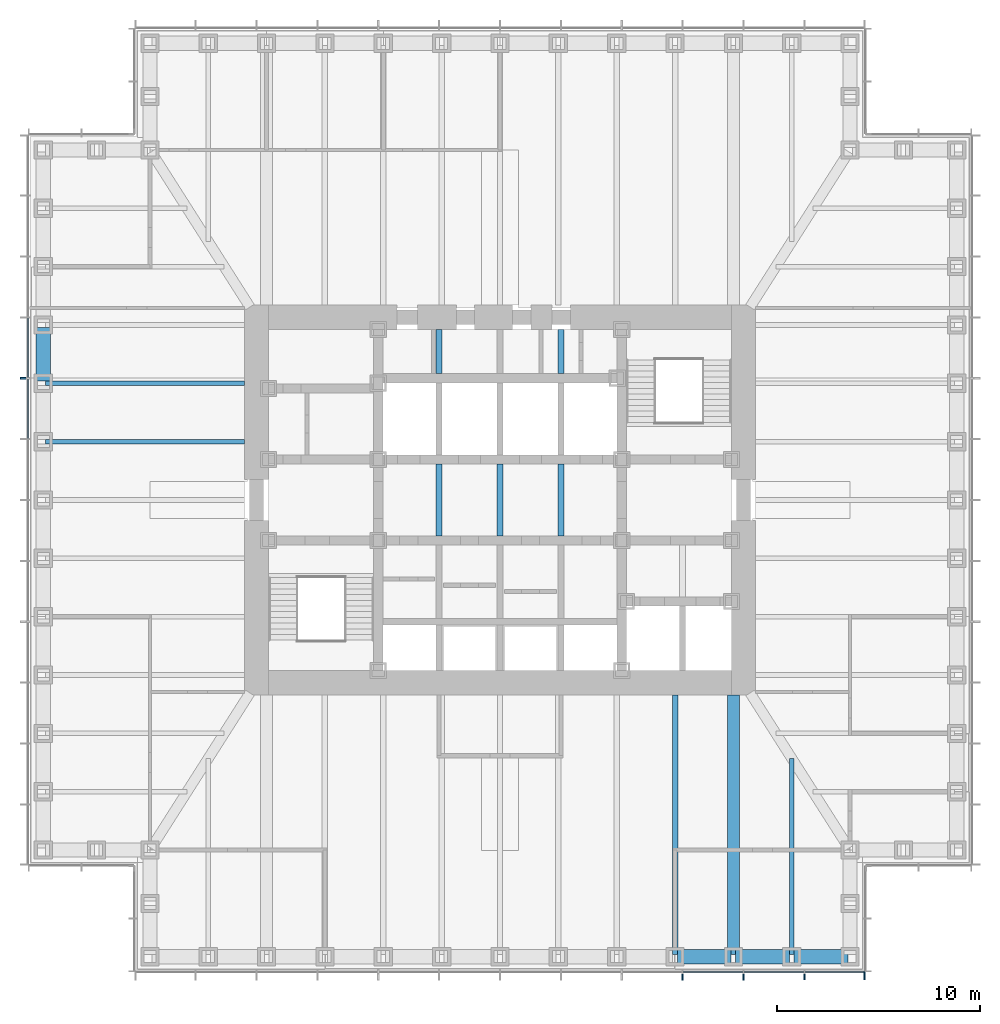
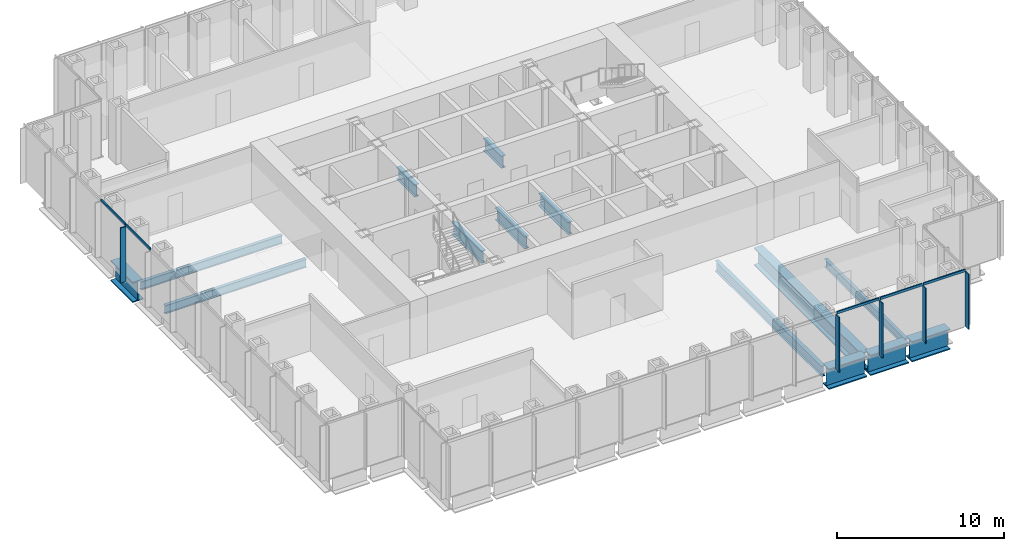
# One storey, part 3 of 16: 14 beams, 10 members, 2 elements without a shape of their own.
"""IFC4 building model written with IfcOpenShell, lengths in metres."""

from ifc_helpers import new_model, si_unit, direction, frame, origin, origin_2d, place, context, subcontext, project, spatial, rectangle, i_section, extrude, material, material_profile, profile_set, type_object, element, aggregate, save


model = new_model("IFC4")

# Units and contexts
model_context = context("Model", 3, precision=1e-05, world=origin(), true_north=direction((0.0, 1.0)))
body_context = subcontext(model_context, "Body", "Model", "MODEL_VIEW")
ifc_project = project(units=[si_unit("LENGTHUNIT", "METRE"), si_unit("AREAUNIT", "SQUARE_METRE"), si_unit("VOLUMEUNIT", "CUBIC_METRE"), si_unit("PLANEANGLEUNIT", "RADIAN"), si_unit("MASSUNIT", "GRAM", prefix="KILO")], contexts=[model_context])

# Site, building, storey
site_placement = place(None, origin())
site = spatial("IfcSite", under=ifc_project, at=site_placement, CompositionType="ELEMENT")
building_placement = place(site_placement, origin())
building = spatial("IfcBuilding", under=site, at=building_placement, Name="Daluyong Arena Tower", CompositionType="ELEMENT")
storey_placement = place(building_placement, frame((0.0, 0.0, 137.5)))
storey = spatial("IfcBuildingStorey", under=building, at=storey_placement, Name="L30", CompositionType="ELEMENT", Elevation=137.5)

# Curtain wall, members
ifc_material_1 = material(Name="Bronze anodised aluminium and glass", Category="aluminium")
curtain_wall_type = type_object("IfcCurtainWallType", Name="Curtain wall CW2", PredefinedType="USERDEFINED", material=ifc_material_1)
curtain_wall_1_placement = place(storey_placement, origin())
curtain_wall_1 = element("IfcCurtainWall", 1, at=curtain_wall_1_placement, inside=storey, type_object=curtain_wall_type, Name="curtain wall L30 S", ObjectType="UNITISED CURTAIN WALL", PredefinedType="USERDEFINED")
ifc_material_2 = material(Name="Bronze anodised aluminium fin", Category="aluminium")
ifc_material_profile_1 = material_profile(ifc_material_2, rectangle(XDim=0.39990234375, YDim=0.080078125, at=origin_2d()))
ifc_profile_set_1 = profile_set([ifc_material_profile_1], Name="Bronze anodised aluminium fin")
member_type_1 = type_object("IfcMemberType", Name="CW2 bronze fin 400x80", PredefinedType="MULLION", material=ifc_profile_set_1)
member_1_placement = place(storey_placement, frame((65.0, 56.550048828125, 0.0), z_axis=(0.0, 0.0, 1.0), x_axis=(0.0, 1.0, 0.0)))
member_1 = element("IfcMember", 2, at=member_1_placement, type_object=member_type_1, Name="curtain wall L30 S fin 10", PredefinedType="MULLION", context=body_context, shape_type="SweptSolid", body=[
    extrude(rectangle(XDim=0.39990234375, YDim=0.080078125, at=origin_2d()), origin(), (0.0, 0.0, 1.0), 4.02001953125),
])
member_2_placement = place(storey_placement, frame((68.0, 56.550048828125, 0.0), z_axis=(0.0, 0.0, 1.0), x_axis=(0.0, 1.0, 0.0)))
member_2 = element("IfcMember", 3, at=member_2_placement, type_object=member_type_1, Name="curtain wall L30 S fin 11", PredefinedType="MULLION", context=body_context, shape_type="SweptSolid", body=[
    extrude(rectangle(XDim=0.39990234375, YDim=0.080078125, at=origin_2d()), origin(), (0.0, 0.0, 1.0), 4.02001953125),
])
member_3_placement = place(storey_placement, frame((71.0, 56.550048828125, 0.0), z_axis=(0.0, 0.0, 1.0), x_axis=(0.0, 1.0, 0.0)))
member_3 = element("IfcMember", 4, at=member_3_placement, type_object=member_type_1, Name="curtain wall L30 S fin 12", PredefinedType="MULLION", context=body_context, shape_type="SweptSolid", body=[
    extrude(rectangle(XDim=0.39990234375, YDim=0.080078125, at=origin_2d()), origin(), (0.0, 0.0, 1.0), 4.02001953125),
])
member_4_placement = place(storey_placement, frame((73.9599609375, 56.550048828125, 0.0), z_axis=(0.0, 0.0, 1.0), x_axis=(0.0, 1.0, 0.0)))
member_4 = element("IfcMember", 5, at=member_4_placement, type_object=member_type_1, Name="curtain wall L30 S fin 13", PredefinedType="MULLION", context=body_context, shape_type="SweptSolid", body=[
    extrude(rectangle(XDim=0.39990234375, YDim=0.080078125, at=origin_2d()), origin(), (0.0, 0.0, 1.0), 4.02001953125),
])

# Curtain wall, member
curtain_wall_2_placement = place(storey_placement, origin())
curtain_wall_2 = element("IfcCurtainWall", 6, at=curtain_wall_2_placement, inside=storey, type_object=curtain_wall_type, Name="curtain wall L30 W", ObjectType="UNITISED CURTAIN WALL", PredefinedType="USERDEFINED")
member_5_placement = place(storey_placement, frame((32.550048828125, 86.0, 0.0), z_axis=(0.0, 0.0, 1.0), x_axis=(1.0, 0.0, 0.0)))
member_5 = element("IfcMember", 7, at=member_5_placement, type_object=member_type_1, Name="curtain wall L30 W fin 5", PredefinedType="MULLION", context=body_context, shape_type="SweptSolid", body=[
    extrude(rectangle(XDim=0.39990234375, YDim=0.080078125, at=origin_2d()), origin(), (0.0, 0.0, 1.0), 4.02001953125),
])

# Member
ifc_material_3 = material(Name="Bronze anodised aluminium", Category="aluminium")
ifc_material_profile_2 = material_profile(ifc_material_3, rectangle(XDim=0.080078125, YDim=0.179931640625, at=origin_2d()))
ifc_profile_set_2 = profile_set([ifc_material_profile_2], Name="Bronze anodised aluminium")
member_type_2 = type_object("IfcMemberType", Name="CW2 stack transom 180x80", PredefinedType="USERDEFINED", material=ifc_profile_set_2)
member_6_placement = place(storey_placement, frame((65.0400390625, 56.75, 4.110107421875), z_axis=(1.0, 0.0, 0.0), x_axis=(0.0, 1.0, 0.0)))
member_6 = element("IfcMember", 8, at=member_6_placement, type_object=member_type_2, Name="curtain wall L30 S transom 10", ObjectType="TRANSOM", PredefinedType="USERDEFINED", context=body_context, shape_type="SweptSolid", body=[
    extrude(rectangle(XDim=0.080078125, YDim=0.179931640625, at=origin_2d()), origin(), (0.0, 0.0, 1.0), 2.919921875),
])

member_7_placement = place(storey_placement, frame((68.0400390625, 56.75, 4.110107421875), z_axis=(1.0, 0.0, 0.0), x_axis=(0.0, 1.0, 0.0)))
member_7 = element("IfcMember", 9, at=member_7_placement, type_object=member_type_2, Name="curtain wall L30 S transom 11", ObjectType="TRANSOM", PredefinedType="USERDEFINED", context=body_context, shape_type="SweptSolid", body=[
    extrude(rectangle(XDim=0.080078125, YDim=0.179931640625, at=origin_2d()), origin(), (0.0, 0.0, 1.0), 2.919921875),
])

member_8_placement = place(storey_placement, frame((71.0400390625, 56.75, 4.110107421875), z_axis=(1.0, 0.0, 0.0), x_axis=(0.0, 1.0, 0.0)))
member_8 = element("IfcMember", 10, at=member_8_placement, type_object=member_type_2, Name="curtain wall L30 S transom 12", ObjectType="TRANSOM", PredefinedType="USERDEFINED", context=body_context, shape_type="SweptSolid", body=[
    extrude(rectangle(XDim=0.080078125, YDim=0.179931640625, at=origin_2d()), origin(), (0.0, 0.0, 1.0), 2.8798828125),
])

aggregate(curtain_wall_1, [member_1, member_2, member_3, member_4, member_6, member_7, member_8])

member_9_placement = place(storey_placement, frame((32.75, 88.9599609375, 4.110107421875), z_axis=(0.0, -1.0, 0.0), x_axis=(1.0, 0.0, 0.0)))
member_9 = element("IfcMember", 11, at=member_9_placement, type_object=member_type_2, Name="curtain wall L30 W transom 4", ObjectType="TRANSOM", PredefinedType="USERDEFINED", context=body_context, shape_type="SweptSolid", body=[
    extrude(rectangle(XDim=0.080078125, YDim=0.179931640625, at=origin_2d()), origin(), (0.0, 0.0, 1.0), 2.919921875),
])

member_10_placement = place(storey_placement, frame((32.75, 85.9599609375, 4.110107421875), z_axis=(0.0, -1.0, 0.0), x_axis=(1.0, 0.0, 0.0)))
member_10 = element("IfcMember", 12, at=member_10_placement, type_object=member_type_2, Name="curtain wall L30 W transom 5", ObjectType="TRANSOM", PredefinedType="USERDEFINED", context=body_context, shape_type="SweptSolid", body=[
    extrude(rectangle(XDim=0.080078125, YDim=0.179931640625, at=origin_2d()), origin(), (0.0, 0.0, 1.0), 2.919921875),
])

aggregate(curtain_wall_2, [member_5, member_9, member_10])

# Beams
ifc_material_4 = material(Name="Steel ASTM A572 Grade 50", Category="steel")
ifc_material_profile_3 = material_profile(ifc_material_4, i_section(OverallWidth=0.60009765625, OverallDepth=1.300048828125, WebThickness=0.035, FlangeThickness=0.07, at=origin_2d()))
ifc_profile_set_3 = profile_set([ifc_material_profile_3], Name="Steel ASTM A572 Grade 50")
beam_type_1 = type_object("IfcBeamType", Name="Floor beam TB1300X600", PredefinedType="BEAM", material=ifc_profile_set_3)
beam_1_placement = place(storey_placement, frame((67.5, 57.614990234375, -0.81005859375), z_axis=(0.0, 1.0, 0.0), x_axis=(-1.0, 0.0, 0.0)))
element("IfcBeam", 13, at=beam_1_placement, inside=storey, type_object=beam_type_1, Name="floor beam FB7", PredefinedType="BEAM", context=body_context, shape_type="SweptSolid", body=[
    extrude(i_section(OverallWidth=0.60009765625, OverallDepth=1.300048828125, WebThickness=0.035, FlangeThickness=0.07, at=origin_2d()), origin(), (0.0, 0.0, 1.0), 12.784912109375),
])
ifc_material_5 = material(Name="Steel ASTM A992 Grade 50", Category="steel")
ifc_material_profile_4 = material_profile(ifc_material_5, i_section(OverallWidth=0.22900390625, OverallDepth=0.612060546875, WebThickness=0.011962890625, FlangeThickness=0.01953125, at=origin_2d()))
ifc_profile_set_4 = profile_set([ifc_material_profile_4], Name="Steel ASTM A992 Grade 50")
beam_type_2 = type_object("IfcBeamType", Name="Floor beam W24X84", PredefinedType="BEAM", material=ifc_profile_set_4)
beam_2_placement = place(storey_placement, frame((70.375, 57.614990234375, -0.466064453125), z_axis=(0.0, 1.0, 0.0), x_axis=(-1.0, 0.0, 0.0)))
element("IfcBeam", 14, at=beam_2_placement, inside=storey, type_object=beam_type_2, Name="floor beam FB3", PredefinedType="BEAM", context=body_context, shape_type="SweptSolid", body=[
    extrude(i_section(OverallWidth=0.22900390625, OverallDepth=0.612060546875, WebThickness=0.011962890625, FlangeThickness=0.01953125, at=origin_2d()), origin(), (0.0, 0.0, 1.0), 9.65283203125),
])
for number, where, z_axis, x_axis, name in (
    (15, (33.614990234375, 85.75, -0.466064453125), (1.0, 0.0, 0.0), (0.0, 1.0, 0.0), "floor beam FB3"),
    (16, (33.614990234375, 82.875, -0.466064453125), (1.0, 0.0, 0.0), (0.0, 1.0, 0.0), "floor beam FB3"),
):
    element("IfcBeam", number, at=place(storey_placement, frame(where, z_axis=z_axis, x_axis=x_axis)), inside=storey, type_object=beam_type_2, Name=name, PredefinedType="BEAM", context=body_context, shape_type="SweptSolid", body=[
        extrude(i_section(OverallWidth=0.22900390625, OverallDepth=0.612060546875, WebThickness=0.011962890625, FlangeThickness=0.01953125, at=origin_2d()), origin(), (0.0, 0.0, 1.0), 9.784912109375),
    ])
ifc_material_6 = material(Name="Steel ASTM A992 Grade 50", Category="steel")
ifc_material_profile_5 = material_profile(ifc_material_6, i_section(OverallWidth=0.2666015625, OverallDepth=0.761962890625, WebThickness=0.014404296875, FlangeThickness=0.021484375, at=origin_2d()))
ifc_profile_set_5 = profile_set([ifc_material_profile_5], Name="Steel ASTM A992 Grade 50")
beam_type_3 = type_object("IfcBeamType", Name="Floor beam W30X116", PredefinedType="BEAM", material=ifc_profile_set_5)
beam_3_placement = place(storey_placement, frame((64.625, 57.614990234375, -0.541015625), z_axis=(0.0, 1.0, 0.0), x_axis=(-1.0, 0.0, 0.0)))
element("IfcBeam", 17, at=beam_3_placement, inside=storey, type_object=beam_type_3, Name="floor beam FB4", PredefinedType="BEAM", context=body_context, shape_type="SweptSolid", body=[
    extrude(i_section(OverallWidth=0.2666015625, OverallDepth=0.761962890625, WebThickness=0.014404296875, FlangeThickness=0.021484375, at=origin_2d()), origin(), (0.0, 0.0, 1.0), 12.784912109375),
])
ifc_material_7 = material(Name="Steel ASTM A572 Grade 50", Category="steel")
ifc_material_profile_6 = material_profile(ifc_material_7, i_section(OverallWidth=0.300048828125, OverallDepth=0.89990234375, WebThickness=0.025, FlangeThickness=0.04, at=origin_2d()))
ifc_profile_set_6 = profile_set([ifc_material_profile_6], Name="Steel ASTM A572 Grade 50")
beam_type_4 = type_object("IfcBeamType", Name="Lift divider beam PG900X300", PredefinedType="BEAM", material=ifc_profile_set_6)
beam_4_placement = place(storey_placement, frame((53.0, 78.22509765625, -0.610107421875), z_axis=(0.0, 1.0, 0.0), x_axis=(-1.0, 0.0, 0.0)))
element("IfcBeam", 18, at=beam_4_placement, inside=storey, type_object=beam_type_4, Name="lift divider beam DB1", PredefinedType="BEAM", context=body_context, shape_type="SweptSolid", body=[
    extrude(i_section(OverallWidth=0.300048828125, OverallDepth=0.89990234375, WebThickness=0.025, FlangeThickness=0.04, at=origin_2d()), origin(), (0.0, 0.0, 1.0), 3.5498046875),
])
beam_5_placement = place(storey_placement, frame((53.0, 86.22509765625, -0.610107421875), z_axis=(0.0, 1.0, 0.0), x_axis=(-1.0, 0.0, 0.0)))
element("IfcBeam", 19, at=beam_5_placement, inside=storey, type_object=beam_type_4, Name="lift divider beam DB1", PredefinedType="BEAM", context=body_context, shape_type="SweptSolid", body=[
    extrude(i_section(OverallWidth=0.300048828125, OverallDepth=0.89990234375, WebThickness=0.025, FlangeThickness=0.04, at=origin_2d()), origin(), (0.0, 0.0, 1.0), 2.1748046875),
])
for number, where, z_axis, x_axis, name in (
    (20, (56.0, 78.22509765625, -0.610107421875), (0.0, 1.0, 0.0), (-1.0, 0.0, 0.0), "lift divider beam DB1"),
    (21, (59.0, 78.22509765625, -0.610107421875), (0.0, 1.0, 0.0), (-1.0, 0.0, 0.0), "lift divider beam DB1"),
):
    element("IfcBeam", number, at=place(storey_placement, frame(where, z_axis=z_axis, x_axis=x_axis)), inside=storey, type_object=beam_type_4, Name=name, PredefinedType="BEAM", context=body_context, shape_type="SweptSolid", body=[
        extrude(i_section(OverallWidth=0.300048828125, OverallDepth=0.89990234375, WebThickness=0.025, FlangeThickness=0.04, at=origin_2d()), origin(), (0.0, 0.0, 1.0), 3.5498046875),
    ])
beam_6_placement = place(storey_placement, frame((59.0, 86.22509765625, -0.610107421875), z_axis=(0.0, 1.0, 0.0), x_axis=(-1.0, 0.0, 0.0)))
element("IfcBeam", 22, at=beam_6_placement, inside=storey, type_object=beam_type_4, Name="lift divider beam DB1", PredefinedType="BEAM", context=body_context, shape_type="SweptSolid", body=[
    extrude(i_section(OverallWidth=0.300048828125, OverallDepth=0.89990234375, WebThickness=0.025, FlangeThickness=0.04, at=origin_2d()), origin(), (0.0, 0.0, 1.0), 2.1748046875),
])
ifc_material_8 = material(Name="Steel ASTM A572 Grade 50", Category="steel")
ifc_material_profile_7 = material_profile(ifc_material_8, i_section(OverallWidth=0.699951171875, OverallDepth=1.5, WebThickness=0.04, FlangeThickness=0.08, at=origin_2d()))
ifc_profile_set_7 = profile_set([ifc_material_profile_7], Name="Steel ASTM A572 Grade 50")
beam_type_5 = type_object("IfcBeamType", Name="Spandrel Z2 PG1500X700", PredefinedType="SPANDREL", material=ifc_profile_set_7)
for number, where, z_axis, x_axis, name in (
    (23, (64.739990234375, 57.5, -0.909912109375), (1.0, 0.0, 0.0), (0.0, 1.0, 0.0), "spandrel z2 SB6"),
    (24, (67.614990234375, 57.5, -0.909912109375), (1.0, 0.0, 0.0), (0.0, 1.0, 0.0), "spandrel z2 SB6"),
    (25, (70.489990234375, 57.5, -0.909912109375), (1.0, 0.0, 0.0), (0.0, 1.0, 0.0), "spandrel z2 SB6"),
    (26, (33.5, 88.510009765625, -0.909912109375), (0.0, -1.0, 0.0), (1.0, 0.0, 0.0), "spandrel z2 SB6"),
):
    element("IfcBeam", number, at=place(storey_placement, frame(where, z_axis=z_axis, x_axis=x_axis)), inside=storey, type_object=beam_type_5, Name=name, PredefinedType="SPANDREL", context=body_context, shape_type="SweptSolid", body=[
        extrude(i_section(OverallWidth=0.699951171875, OverallDepth=1.5, WebThickness=0.04, FlangeThickness=0.08, at=origin_2d()), origin(), (0.0, 0.0, 1.0), 2.64501953125),
    ])

save(model, "model.ifc")
